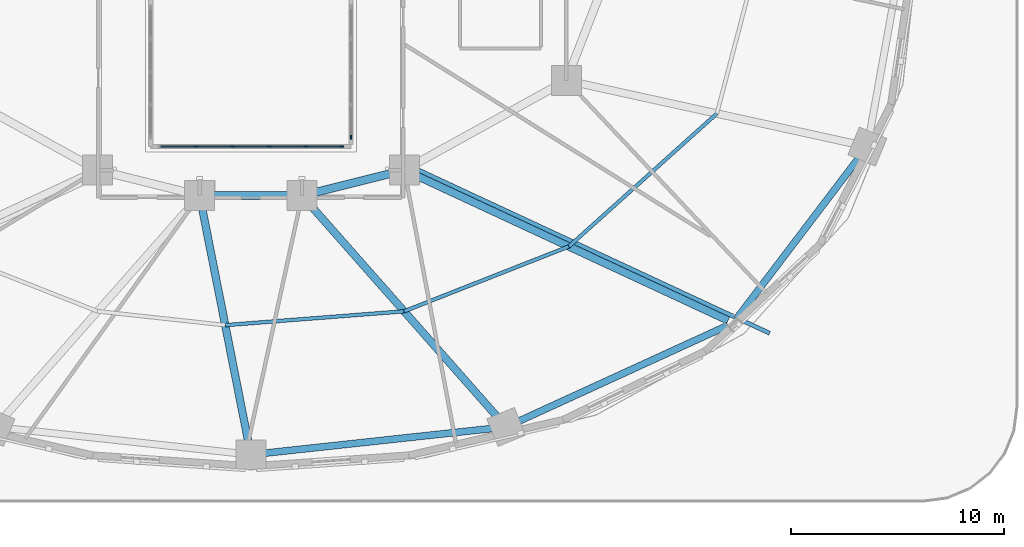
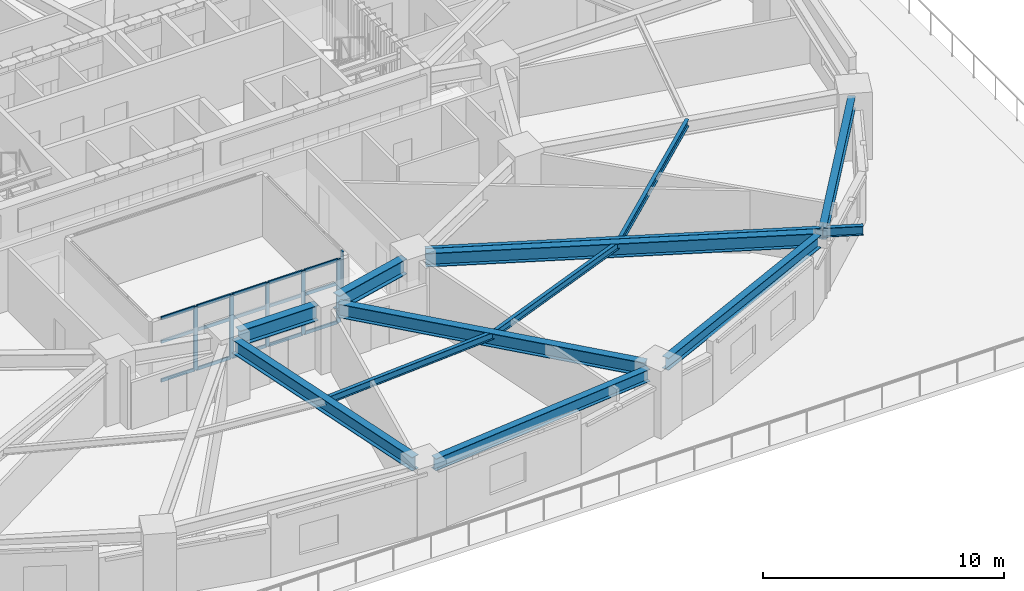
# One storey, part 4 of 18: 21 members, 12 beams, 2 elements without a shape of their own.
"""IFC4 building model written with IfcOpenShell, lengths in metres."""

from ifc_helpers import new_model, si_unit, direction, frame, origin, origin_2d, place, context, subcontext, project, spatial, rectangle, i_section, extrude, material, material_profile, profile_set, type_object, element, aggregate, save


model = new_model("IFC4")

# Units and contexts
model_context = context("Model", 3, precision=1e-05, world=origin(), true_north=direction((0.0, 1.0)))
body_context = subcontext(model_context, "Body", "Model", "MODEL_VIEW")
ifc_project = project(units=[si_unit("LENGTHUNIT", "METRE"), si_unit("AREAUNIT", "SQUARE_METRE"), si_unit("VOLUMEUNIT", "CUBIC_METRE"), si_unit("PLANEANGLEUNIT", "RADIAN"), si_unit("MASSUNIT", "GRAM", prefix="KILO")], contexts=[model_context])

# Site, building, storey
site_placement = place(None, origin())
site = spatial("IfcSite", under=ifc_project, at=site_placement, CompositionType="ELEMENT")
building_placement = place(site_placement, origin())
building = spatial("IfcBuilding", under=site, at=building_placement, Name="Haldorwick Loom Tower", CompositionType="ELEMENT")
storey_placement = place(building_placement, frame((0.0, 0.0, 24.0)))
storey = spatial("IfcBuildingStorey", under=building, at=storey_placement, Name="L05", CompositionType="ELEMENT", Elevation=24.0)

# Curtain wall, members
ifc_material_1 = material(Name="Thermally Broken Anodized Aluminium Curtain Wall Framing", Category="aluminium")
curtain_wall_type = type_object("IfcCurtainWallType", Name="ARC-CW-03", PredefinedType="NOTDEFINED", material=ifc_material_1)
curtain_wall_1_placement = place(storey_placement, origin())
curtain_wall_1 = element("IfcCurtainWall", 1, at=curtain_wall_1_placement, inside=storey, type_object=curtain_wall_type, Name="L05 Atrium Glazed Screen S", PredefinedType="NOTDEFINED")
ifc_material_profile_1 = material_profile(ifc_material_1, rectangle(XDim=0.06591796875, YDim=0.18505859375, at=origin_2d()), Name="ALU_MUL_66X185", Category="aluminium")
ifc_profile_set_1 = profile_set([ifc_material_profile_1], Name="Thermally Broken Anodized Aluminium Curtain Wall Framing")
member_type_1 = type_object("IfcMemberType", Name="ARC-CWM-03", PredefinedType="MULLION", material=ifc_profile_set_1)
member_1_placement = place(storey_placement, frame((40.26708984375, 16.699951171875, 0.0), z_axis=(0.0, 0.0, 1.0), x_axis=(0.0, -1.0, 0.0)))
member_1 = element("IfcMember", 2, at=member_1_placement, type_object=member_type_1, Name="CW-03 mullion 1", PredefinedType="MULLION", context=body_context, shape_type="SweptSolid", body=[
    extrude(rectangle(XDim=0.06591796875, YDim=0.18505859375, at=origin_2d()), origin(), (0.0, 0.0, 1.0), 3.2099609375),
])
member_2_placement = place(storey_placement, frame((38.580078125, 16.699951171875, 0.0), z_axis=(0.0, 0.0, 1.0), x_axis=(0.0, -1.0, 0.0)))
member_2 = element("IfcMember", 3, at=member_2_placement, type_object=member_type_1, Name="CW-03 mullion 2", PredefinedType="MULLION", context=body_context, shape_type="SweptSolid", body=[
    extrude(rectangle(XDim=0.06591796875, YDim=0.18505859375, at=origin_2d()), origin(), (0.0, 0.0, 1.0), 3.2099609375),
])
member_3_placement = place(storey_placement, frame((36.860107421875, 16.699951171875, 0.0), z_axis=(0.0, 0.0, 1.0), x_axis=(0.0, -1.0, 0.0)))
member_3 = element("IfcMember", 4, at=member_3_placement, type_object=member_type_1, Name="CW-03 mullion 3", PredefinedType="MULLION", context=body_context, shape_type="SweptSolid", body=[
    extrude(rectangle(XDim=0.06591796875, YDim=0.18505859375, at=origin_2d()), origin(), (0.0, 0.0, 1.0), 3.2099609375),
])
member_4_placement = place(storey_placement, frame((35.139892578125, 16.699951171875, 0.0), z_axis=(0.0, 0.0, 1.0), x_axis=(0.0, -1.0, 0.0)))
member_4 = element("IfcMember", 5, at=member_4_placement, type_object=member_type_1, Name="CW-03 mullion 4", PredefinedType="MULLION", context=body_context, shape_type="SweptSolid", body=[
    extrude(rectangle(XDim=0.06591796875, YDim=0.18505859375, at=origin_2d()), origin(), (0.0, 0.0, 1.0), 3.2099609375),
])
member_5_placement = place(storey_placement, frame((33.419921875, 16.699951171875, 0.0), z_axis=(0.0, 0.0, 1.0), x_axis=(0.0, -1.0, 0.0)))
member_5 = element("IfcMember", 6, at=member_5_placement, type_object=member_type_1, Name="CW-03 mullion 5", PredefinedType="MULLION", context=body_context, shape_type="SweptSolid", body=[
    extrude(rectangle(XDim=0.06591796875, YDim=0.18505859375, at=origin_2d()), origin(), (0.0, 0.0, 1.0), 3.2099609375),
])

# Curtain wall, member
curtain_wall_2_placement = place(storey_placement, origin())
curtain_wall_2 = element("IfcCurtainWall", 7, at=curtain_wall_2_placement, inside=storey, type_object=curtain_wall_type, Name="L05 Atrium Glazed Screen E", PredefinedType="NOTDEFINED")
member_6_placement = place(storey_placement, frame((40.699951171875, 17.133056640625, 0.0), z_axis=(0.0, 0.0, 1.0), x_axis=(1.0, 0.0, 0.0)))
member_6 = element("IfcMember", 8, at=member_6_placement, type_object=member_type_1, Name="CW-03 mullion 5", PredefinedType="MULLION", context=body_context, shape_type="SweptSolid", body=[
    extrude(rectangle(XDim=0.06591796875, YDim=0.18505859375, at=origin_2d()), origin(), (0.0, 0.0, 1.0), 3.2099609375),
])
aggregate(curtain_wall_2, [member_6])

# Member
ifc_material_profile_2 = material_profile(ifc_material_1, rectangle(XDim=0.06591796875, YDim=0.1650390625, at=origin_2d()), Name="ALU_TRN_66X165", Category="aluminium")
ifc_profile_set_2 = profile_set([ifc_material_profile_2], Name="Thermally Broken Anodized Aluminium Curtain Wall Framing")
member_type_2 = type_object("IfcMemberType", Name="ARC-CWT-03", PredefinedType="USERDEFINED", material=ifc_profile_set_2)
member_7_placement = place(storey_placement, frame((40.23388671875, 16.699951171875, 0.032958984375), z_axis=(-1.0, 0.0, 0.0), x_axis=(0.0, -1.0, 0.0)))
member_7 = element("IfcMember", 9, at=member_7_placement, type_object=member_type_2, Name="CW-03 transom 1.1", ObjectType="TRANSOM", PredefinedType="USERDEFINED", context=body_context, shape_type="SweptSolid", body=[
    extrude(rectangle(XDim=0.06591796875, YDim=0.1650390625, at=origin_2d()), origin(), (0.0, 0.0, 1.0), 1.620849609375),
])

member_8_placement = place(storey_placement, frame((40.23388671875, 16.699951171875, 2.0), z_axis=(-1.0, 0.0, 0.0), x_axis=(0.0, -1.0, 0.0)))
member_8 = element("IfcMember", 10, at=member_8_placement, type_object=member_type_2, Name="CW-03 transom 1.2", ObjectType="TRANSOM", PredefinedType="USERDEFINED", context=body_context, shape_type="SweptSolid", body=[
    extrude(rectangle(XDim=0.06591796875, YDim=0.1650390625, at=origin_2d()), origin(), (0.0, 0.0, 1.0), 1.620849609375),
])

member_9_placement = place(storey_placement, frame((40.23388671875, 16.699951171875, 3.177001953125), z_axis=(-1.0, 0.0, 0.0), x_axis=(0.0, -1.0, 0.0)))
member_9 = element("IfcMember", 11, at=member_9_placement, type_object=member_type_2, Name="CW-03 transom 1.3", ObjectType="TRANSOM", PredefinedType="USERDEFINED", context=body_context, shape_type="SweptSolid", body=[
    extrude(rectangle(XDim=0.06591796875, YDim=0.1650390625, at=origin_2d()), origin(), (0.0, 0.0, 1.0), 1.620849609375),
])

member_10_placement = place(storey_placement, frame((38.547119140625, 16.699951171875, 0.032958984375), z_axis=(-1.0, 0.0, 0.0), x_axis=(0.0, -1.0, 0.0)))
member_10 = element("IfcMember", 12, at=member_10_placement, type_object=member_type_2, Name="CW-03 transom 2.1", ObjectType="TRANSOM", PredefinedType="USERDEFINED", context=body_context, shape_type="SweptSolid", body=[
    extrude(rectangle(XDim=0.06591796875, YDim=0.1650390625, at=origin_2d()), origin(), (0.0, 0.0, 1.0), 1.654052734375),
])

member_11_placement = place(storey_placement, frame((38.547119140625, 16.699951171875, 2.0), z_axis=(-1.0, 0.0, 0.0), x_axis=(0.0, -1.0, 0.0)))
member_11 = element("IfcMember", 13, at=member_11_placement, type_object=member_type_2, Name="CW-03 transom 2.2", ObjectType="TRANSOM", PredefinedType="USERDEFINED", context=body_context, shape_type="SweptSolid", body=[
    extrude(rectangle(XDim=0.06591796875, YDim=0.1650390625, at=origin_2d()), origin(), (0.0, 0.0, 1.0), 1.654052734375),
])

member_12_placement = place(storey_placement, frame((38.547119140625, 16.699951171875, 3.177001953125), z_axis=(-1.0, 0.0, 0.0), x_axis=(0.0, -1.0, 0.0)))
member_12 = element("IfcMember", 14, at=member_12_placement, type_object=member_type_2, Name="CW-03 transom 2.3", ObjectType="TRANSOM", PredefinedType="USERDEFINED", context=body_context, shape_type="SweptSolid", body=[
    extrude(rectangle(XDim=0.06591796875, YDim=0.1650390625, at=origin_2d()), origin(), (0.0, 0.0, 1.0), 1.654052734375),
])

member_13_placement = place(storey_placement, frame((36.826904296875, 16.699951171875, 0.032958984375), z_axis=(-1.0, 0.0, 0.0), x_axis=(0.0, -1.0, 0.0)))
member_13 = element("IfcMember", 15, at=member_13_placement, type_object=member_type_2, Name="CW-03 transom 3.1", ObjectType="TRANSOM", PredefinedType="USERDEFINED", context=body_context, shape_type="SweptSolid", body=[
    extrude(rectangle(XDim=0.06591796875, YDim=0.1650390625, at=origin_2d()), origin(), (0.0, 0.0, 1.0), 1.65380859375),
])

member_14_placement = place(storey_placement, frame((36.826904296875, 16.699951171875, 2.0), z_axis=(-1.0, 0.0, 0.0), x_axis=(0.0, -1.0, 0.0)))
member_14 = element("IfcMember", 16, at=member_14_placement, type_object=member_type_2, Name="CW-03 transom 3.2", ObjectType="TRANSOM", PredefinedType="USERDEFINED", context=body_context, shape_type="SweptSolid", body=[
    extrude(rectangle(XDim=0.06591796875, YDim=0.1650390625, at=origin_2d()), origin(), (0.0, 0.0, 1.0), 1.65380859375),
])

member_15_placement = place(storey_placement, frame((36.826904296875, 16.699951171875, 3.177001953125), z_axis=(-1.0, 0.0, 0.0), x_axis=(0.0, -1.0, 0.0)))
member_15 = element("IfcMember", 17, at=member_15_placement, type_object=member_type_2, Name="CW-03 transom 3.3", ObjectType="TRANSOM", PredefinedType="USERDEFINED", context=body_context, shape_type="SweptSolid", body=[
    extrude(rectangle(XDim=0.06591796875, YDim=0.1650390625, at=origin_2d()), origin(), (0.0, 0.0, 1.0), 1.65380859375),
])

member_16_placement = place(storey_placement, frame((35.10693359375, 16.699951171875, 0.032958984375), z_axis=(-1.0, 0.0, 0.0), x_axis=(0.0, -1.0, 0.0)))
member_16 = element("IfcMember", 18, at=member_16_placement, type_object=member_type_2, Name="CW-03 transom 4.1", ObjectType="TRANSOM", PredefinedType="USERDEFINED", context=body_context, shape_type="SweptSolid", body=[
    extrude(rectangle(XDim=0.06591796875, YDim=0.1650390625, at=origin_2d()), origin(), (0.0, 0.0, 1.0), 1.654052734375),
])

member_17_placement = place(storey_placement, frame((35.10693359375, 16.699951171875, 2.0), z_axis=(-1.0, 0.0, 0.0), x_axis=(0.0, -1.0, 0.0)))
member_17 = element("IfcMember", 19, at=member_17_placement, type_object=member_type_2, Name="CW-03 transom 4.2", ObjectType="TRANSOM", PredefinedType="USERDEFINED", context=body_context, shape_type="SweptSolid", body=[
    extrude(rectangle(XDim=0.06591796875, YDim=0.1650390625, at=origin_2d()), origin(), (0.0, 0.0, 1.0), 1.654052734375),
])

member_18_placement = place(storey_placement, frame((35.10693359375, 16.699951171875, 3.177001953125), z_axis=(-1.0, 0.0, 0.0), x_axis=(0.0, -1.0, 0.0)))
member_18 = element("IfcMember", 20, at=member_18_placement, type_object=member_type_2, Name="CW-03 transom 4.3", ObjectType="TRANSOM", PredefinedType="USERDEFINED", context=body_context, shape_type="SweptSolid", body=[
    extrude(rectangle(XDim=0.06591796875, YDim=0.1650390625, at=origin_2d()), origin(), (0.0, 0.0, 1.0), 1.654052734375),
])

member_19_placement = place(storey_placement, frame((33.386962890625, 16.699951171875, 0.032958984375), z_axis=(-1.0, 0.0, 0.0), x_axis=(0.0, -1.0, 0.0)))
member_19 = element("IfcMember", 21, at=member_19_placement, type_object=member_type_2, Name="CW-03 transom 5.1", ObjectType="TRANSOM", PredefinedType="USERDEFINED", context=body_context, shape_type="SweptSolid", body=[
    extrude(rectangle(XDim=0.06591796875, YDim=0.1650390625, at=origin_2d()), origin(), (0.0, 0.0, 1.0), 1.620849609375),
])

member_20_placement = place(storey_placement, frame((33.386962890625, 16.699951171875, 2.0), z_axis=(-1.0, 0.0, 0.0), x_axis=(0.0, -1.0, 0.0)))
member_20 = element("IfcMember", 22, at=member_20_placement, type_object=member_type_2, Name="CW-03 transom 5.2", ObjectType="TRANSOM", PredefinedType="USERDEFINED", context=body_context, shape_type="SweptSolid", body=[
    extrude(rectangle(XDim=0.06591796875, YDim=0.1650390625, at=origin_2d()), origin(), (0.0, 0.0, 1.0), 1.620849609375),
])

member_21_placement = place(storey_placement, frame((33.386962890625, 16.699951171875, 3.177001953125), z_axis=(-1.0, 0.0, 0.0), x_axis=(0.0, -1.0, 0.0)))
member_21 = element("IfcMember", 23, at=member_21_placement, type_object=member_type_2, Name="CW-03 transom 5.3", ObjectType="TRANSOM", PredefinedType="USERDEFINED", context=body_context, shape_type="SweptSolid", body=[
    extrude(rectangle(XDim=0.06591796875, YDim=0.1650390625, at=origin_2d()), origin(), (0.0, 0.0, 1.0), 1.620849609375),
])

aggregate(curtain_wall_1, [member_1, member_2, member_3, member_4, member_5, member_7, member_8, member_9, member_10, member_11, member_12, member_13, member_14, member_15, member_16, member_17, member_18, member_19, member_20, member_21])

# Beams
ifc_material_2 = material(Name="Steel CSA G40.21 350W", Category="steel")
ifc_material_profile_3 = material_profile(ifc_material_2, i_section(OverallWidth=0.193115234375, OverallDepth=0.466064453125, WebThickness=0.011474609375, FlangeThickness=0.01904296875, at=origin_2d()), Name="W460X97", Category="steel")
ifc_profile_set_3 = profile_set([ifc_material_profile_3], Name="Steel CSA G40.21 350W")
beam_type_1 = type_object("IfcBeamType", Name="STR-BM-BAL460", PredefinedType="BEAM", material=ifc_profile_set_3)
beam_1_placement = place(storey_placement, frame((43.78955078125, 15.634765625, 2.97705078125), z_axis=(0.906835669686, -0.42148436292, 0.0), x_axis=(0.42148436292, 0.906835669686, 0.0)))
element("IfcBeam", 24, at=beam_1_placement, inside=storey, type_object=beam_type_1, Name="L05 Continuous Back-Spanned Balcony Beam 1", PredefinedType="BEAM", context=body_context, shape_type="SweptSolid", body=[
    extrude(i_section(OverallWidth=0.193115234375, OverallDepth=0.466064453125, WebThickness=0.011474609375, FlangeThickness=0.01904296875, at=origin_2d()), origin(), (0.0, 0.0, 1.0), 18.245361328125),
])
ifc_material_profile_4 = material_profile(ifc_material_2, i_section(OverallWidth=0.172119140625, OverallDepth=0.35791015625, WebThickness=0.0078125, FlangeThickness=0.01318359375, at=origin_2d()), Name="W360X57", Category="steel")
ifc_profile_set_4 = profile_set([ifc_material_profile_4], Name="Steel CSA G40.21 350W")
beam_type_2 = type_object("IfcBeamType", Name="STR-BM-J360", PredefinedType="JOIST", material=ifc_profile_set_4)
beam_2_placement = place(storey_placement, frame((34.800048828125, 8.324951171875, 3.031005859375), z_axis=(0.99701252039, 0.077240107368, 0.0), x_axis=(-0.077240107368, 0.99701252039, 0.0)))
element("IfcBeam", 25, at=beam_2_placement, inside=storey, type_object=beam_type_2, Name="L05 Mid-Bay Secondary Joist 13", PredefinedType="JOIST", context=body_context, shape_type="SweptSolid", body=[
    extrude(i_section(OverallWidth=0.172119140625, OverallDepth=0.35791015625, WebThickness=0.0078125, FlangeThickness=0.01318359375, at=origin_2d()), origin(), (0.0, 0.0, 1.0), 8.4140625),
])
beam_3_placement = place(storey_placement, frame((43.18896484375, 8.974853515625, 3.031005859375), z_axis=(0.930584838237, 0.366076301941, 0.0), x_axis=(-0.366076301941, 0.930584838237, 0.0)))
element("IfcBeam", 26, at=beam_3_placement, inside=storey, type_object=beam_type_2, Name="L05 Mid-Bay Secondary Joist 14", PredefinedType="JOIST", context=body_context, shape_type="SweptSolid", body=[
    extrude(i_section(OverallWidth=0.172119140625, OverallDepth=0.35791015625, WebThickness=0.0078125, FlangeThickness=0.01318359375, at=origin_2d()), origin(), (0.0, 0.0, 1.0), 8.302490234375),
])
beam_4_placement = place(storey_placement, frame((50.9150390625, 12.01416015625, 3.031005859375), z_axis=(0.743981830112, 0.668199847698, 0.0), x_axis=(-0.668199847698, 0.743981830112, 0.0)))
element("IfcBeam", 27, at=beam_4_placement, inside=storey, type_object=beam_type_2, Name="L05 Mid-Bay Secondary Joist 15", PredefinedType="JOIST", context=body_context, shape_type="SweptSolid", body=[
    extrude(i_section(OverallWidth=0.172119140625, OverallDepth=0.35791015625, WebThickness=0.0078125, FlangeThickness=0.01318359375, at=origin_2d()), origin(), (0.0, 0.0, 1.0), 9.3330078125),
])
ifc_material_profile_5 = material_profile(ifc_material_2, i_section(OverallWidth=0.324951171875, OverallDepth=0.615966796875, WebThickness=0.013916015625, FlangeThickness=0.021484375, at=origin_2d()), Name="W610X174", Category="steel")
ifc_profile_set_5 = profile_set([ifc_material_profile_5], Name="Steel CSA G40.21 350W")
beam_type_3 = type_object("IfcBeamType", Name="STR-BM-SP610", PredefinedType="SPANDREL", material=ifc_profile_set_5)
beam_5_placement = place(storey_placement, frame((36.51708984375, 2.30615234375, 2.902099609375), z_axis=(0.994164438636, 0.107875247167, 0.0), x_axis=(-0.107875247167, 0.994164438636, 0.0)))
element("IfcBeam", 28, at=beam_5_placement, inside=storey, type_object=beam_type_3, Name="L05 Perimeter Spandrel 13", PredefinedType="SPANDREL", context=body_context, shape_type="SweptSolid", body=[
    extrude(i_section(OverallWidth=0.324951171875, OverallDepth=0.615966796875, WebThickness=0.013916015625, FlangeThickness=0.021484375, at=origin_2d()), origin(), (0.0, 0.0, 1.0), 11.008056640625),
])
beam_6_placement = place(storey_placement, frame((48.45068359375, 3.76611328125, 2.902099609375), z_axis=(0.909173805321, 0.416416848504, 0.0), x_axis=(-0.416416848504, 0.909173805321, 0.0)))
element("IfcBeam", 29, at=beam_6_placement, inside=storey, type_object=beam_type_3, Name="L05 Perimeter Spandrel 14", PredefinedType="SPANDREL", context=body_context, shape_type="SweptSolid", body=[
    extrude(i_section(OverallWidth=0.324951171875, OverallDepth=0.615966796875, WebThickness=0.013916015625, FlangeThickness=0.021484375, at=origin_2d()), origin(), (0.0, 0.0, 1.0), 10.92138671875),
])
beam_7_placement = place(storey_placement, frame((58.796630859375, 8.647216796875, 2.902099609375), z_axis=(0.605084557744, 0.796161213562, 0.0), x_axis=(-0.796161213562, 0.605084557744, 0.0)))
element("IfcBeam", 30, at=beam_7_placement, inside=storey, type_object=beam_type_3, Name="L05 Perimeter Spandrel 15", PredefinedType="SPANDREL", context=body_context, shape_type="SweptSolid", body=[
    extrude(i_section(OverallWidth=0.324951171875, OverallDepth=0.615966796875, WebThickness=0.013916015625, FlangeThickness=0.021484375, at=origin_2d()), origin(), (0.0, 0.0, 1.0), 9.595703125),
])
ifc_material_profile_6 = material_profile(ifc_material_2, i_section(OverallWidth=0.35498046875, OverallDepth=0.695068359375, WebThickness=0.015380859375, FlangeThickness=0.02490234375, at=origin_2d()), Name="W690X217", Category="steel")
ifc_profile_set_6 = profile_set([ifc_material_profile_6], Name="Steel CSA G40.21 350W")
beam_type_4 = type_object("IfcBeamType", Name="STR-BM-W690", PredefinedType="BEAM", material=ifc_profile_set_6)
beam_8_placement = place(storey_placement, frame((33.70068359375, 13.889892578125, 2.862548828125), z_axis=(0.193785651115, -0.981043893729, 0.0), x_axis=(0.981043893729, 0.193785651115, 0.0)))
element("IfcBeam", 31, at=beam_8_placement, inside=storey, type_object=beam_type_4, Name="L05 Radial Floor Girder 13", PredefinedType="BEAM", context=body_context, shape_type="SweptSolid", body=[
    extrude(i_section(OverallWidth=0.35498046875, OverallDepth=0.695068359375, WebThickness=0.015380859375, FlangeThickness=0.02490234375, at=origin_2d()), origin(), (0.0, 0.0, 1.0), 11.344970703125),
])
beam_9_placement = place(storey_placement, frame((38.744140625, 14.01025390625, 2.862548828125), z_axis=(0.661774304332, -0.749703121326, 0.0), x_axis=(0.749703121326, 0.661774304332, 0.0)))
element("IfcBeam", 32, at=beam_9_placement, inside=storey, type_object=beam_type_4, Name="L05 Radial Floor Girder 14", PredefinedType="BEAM", context=body_context, shape_type="SweptSolid", body=[
    extrude(i_section(OverallWidth=0.35498046875, OverallDepth=0.695068359375, WebThickness=0.015380859375, FlangeThickness=0.02490234375, at=origin_2d()), origin(), (0.0, 0.0, 1.0), 13.43310546875),
])
beam_10_placement = place(storey_placement, frame((43.671630859375, 15.380859375, 2.862548828125), z_axis=(0.90683498532, -0.421485835349, 0.0), x_axis=(0.421485835349, 0.90683498532, 0.0)))
element("IfcBeam", 33, at=beam_10_placement, inside=storey, type_object=beam_type_4, Name="L05 Radial Floor Girder 15", PredefinedType="BEAM", context=body_context, shape_type="SweptSolid", body=[
    extrude(i_section(OverallWidth=0.35498046875, OverallDepth=0.695068359375, WebThickness=0.015380859375, FlangeThickness=0.02490234375, at=origin_2d()), origin(), (0.0, 0.0, 1.0), 16.220458984375),
])
ifc_material_profile_7 = material_profile(ifc_material_2, i_section(OverallWidth=0.381103515625, OverallDepth=0.77294921875, WebThickness=0.0166015625, FlangeThickness=0.027587890625, at=origin_2d()), Name="W760X257", Category="steel")
ifc_profile_set_7 = profile_set([ifc_material_profile_7], Name="Steel CSA G40.21 350W")
beam_type_5 = type_object("IfcBeamType", Name="STR-BM-W760", PredefinedType="BEAM", material=ifc_profile_set_7)
beam_11_placement = place(storey_placement, frame((42.695556640625, 15.473876953125, 2.823486328125), z_axis=(-0.970142500145, -0.242535625036, 0.0), x_axis=(0.242535625036, -0.970142500145, 0.0)))
element("IfcBeam", 34, at=beam_11_placement, inside=storey, type_object=beam_type_5, Name="L05 Inner Ring Girder 4", PredefinedType="BEAM", context=body_context, shape_type="SweptSolid", body=[
    extrude(i_section(OverallWidth=0.381103515625, OverallDepth=0.77294921875, WebThickness=0.0166015625, FlangeThickness=0.027587890625, at=origin_2d()), origin(), (0.0, 0.0, 1.0), 3.90771484375),
])
beam_12_placement = place(storey_placement, frame((37.8798828125, 14.39990234375, 2.823486328125), z_axis=(-1.0, 0.0, 0.0), x_axis=(0.0, -1.0, 0.0)))
element("IfcBeam", 35, at=beam_12_placement, inside=storey, type_object=beam_type_5, Name="L05 Inner Ring Girder 5", PredefinedType="BEAM", context=body_context, shape_type="SweptSolid", body=[
    extrude(i_section(OverallWidth=0.381103515625, OverallDepth=0.77294921875, WebThickness=0.0166015625, FlangeThickness=0.027587890625, at=origin_2d()), origin(), (0.0, 0.0, 1.0), 3.759765625),
])

save(model, "model.ifc")
